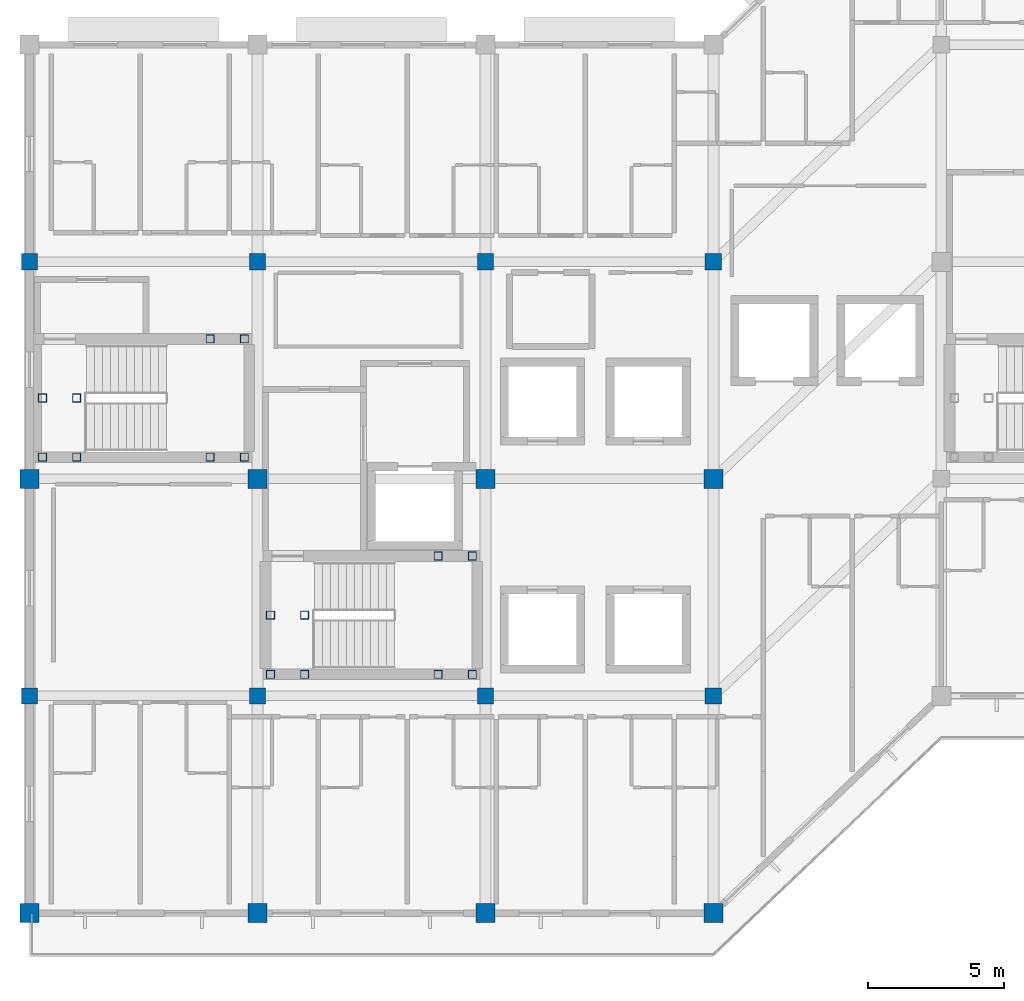
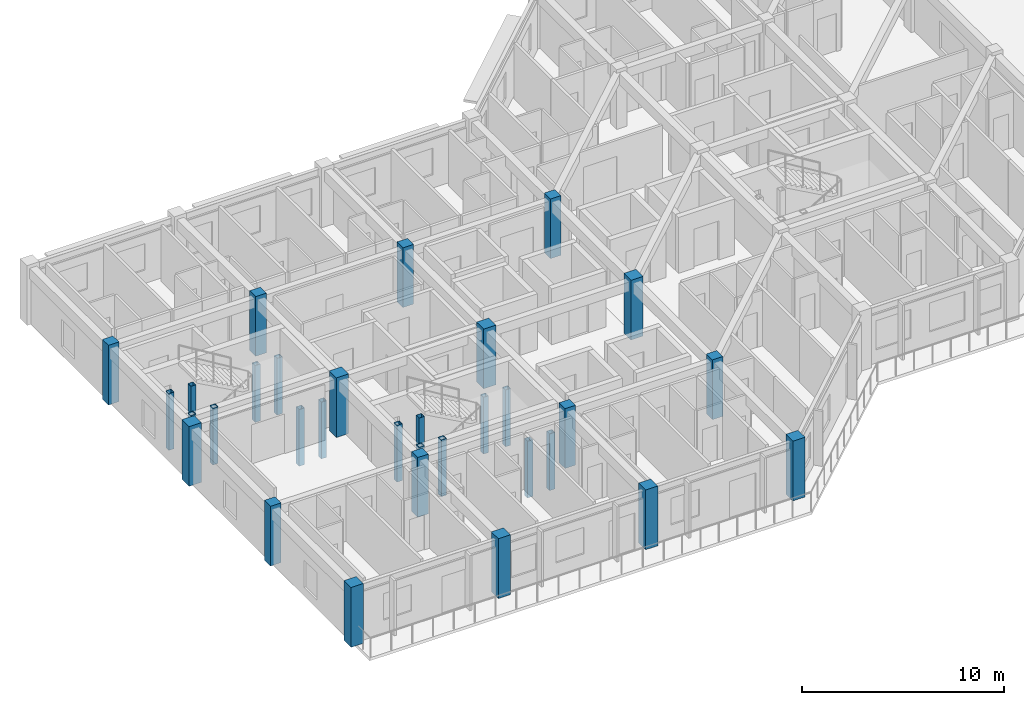
# One storey, part 1 of 15: 32 columns.
"""IFC4 building model written with IfcOpenShell, lengths in metres."""

from ifc_helpers import new_model, si_unit, direction, frame, origin, origin_2d, place, context, subcontext, project, spatial, rectangle, hollow_rectangle, extrude, material, material_profile, profile_set, type_object, element, save


model = new_model("IFC4")

# Units and contexts
model_context = context("Model", 3, precision=1e-05, world=origin(), true_north=direction((0.0, 1.0)))
body_context = subcontext(model_context, "Body", "Model", "MODEL_VIEW")
ifc_project = project(units=[si_unit("LENGTHUNIT", "METRE"), si_unit("AREAUNIT", "SQUARE_METRE"), si_unit("VOLUMEUNIT", "CUBIC_METRE"), si_unit("PLANEANGLEUNIT", "RADIAN"), si_unit("MASSUNIT", "GRAM", prefix="KILO")], contexts=[model_context])

# Site, building, storey
site_placement = place(None, origin())
site = spatial("IfcSite", under=ifc_project, at=site_placement, CompositionType="ELEMENT")
building_placement = place(site_placement, origin())
building = spatial("IfcBuilding", under=site, at=building_placement, Name="Naruveol Harbour Congress Hotel", CompositionType="ELEMENT")
storey_placement = place(building_placement, frame((0.0, 0.0, 36.0)))
storey = spatial("IfcBuildingStorey", under=building, at=storey_placement, Name="L08", CompositionType="ELEMENT", Elevation=36.0)

# Columns
ifc_material_1 = material(Name="Concrete C40/50", Category="concrete")
ifc_material_profile_1 = material_profile(ifc_material_1, rectangle(XDim=0.699951171875, YDim=0.699951171875, at=origin_2d()), Name="RC-700x700")
ifc_profile_set_1 = profile_set([ifc_material_profile_1], Name="Concrete C40/50")
column_type_1 = type_object("IfcColumnType", Name="RC HOTEL COLUMN 700X700", PredefinedType="COLUMN", material=ifc_profile_set_1)
for number, where, z_axis, x_axis, name in (
    (1, (117.60009765625, 0.0, 0.0), (0.0, 0.0, 1.0), (1.0, 0.0, 0.0), "Column C-700 L08 (117.6,0.0)"),
    (2, (117.60009765625, 16.0, 0.0), (0.0, 0.0, 1.0), (1.0, 0.0, 0.0), "Column C-700 L08 (117.6,16.0)"),
    (3, (126.0, 0.0, 0.0), (0.0, 0.0, 1.0), (1.0, 0.0, 0.0), "Column C-700 L08 (126.0,0.0)"),
    (4, (126.0, 16.0, 0.0), (0.0, 0.0, 1.0), (1.0, 0.0, 0.0), "Column C-700 L08 (126.0,16.0)"),
    (5, (134.39990234375, 0.0, 0.0), (0.0, 0.0, 1.0), (1.0, 0.0, 0.0), "Column C-700 L08 (134.4,0.0)"),
    (6, (134.39990234375, 16.0, 0.0), (0.0, 0.0, 1.0), (1.0, 0.0, 0.0), "Column C-700 L08 (134.4,16.0)"),
    (7, (142.800048828125, 0.0, 0.0), (0.0, 0.0, 1.0), (1.0, 0.0, 0.0), "Column C-700 L08 (142.8,0.0)"),
    (8, (142.800048828125, 16.0, 0.0), (0.0, 0.0, 1.0), (1.0, 0.0, 0.0), "Column C-700 L08 (142.8,16.0)"),
):
    element("IfcColumn", number, at=place(storey_placement, frame(where, z_axis=z_axis, x_axis=x_axis)), inside=storey, type_object=column_type_1, Name=name, PredefinedType="COLUMN", context=body_context, shape_type="SweptSolid", body=[
        extrude(rectangle(XDim=0.699951171875, YDim=0.699951171875, at=origin_2d()), origin(), (0.0, 0.0, 1.0), 3.60009765625),
    ])
ifc_material_2 = material(Name="Concrete C40/50", Category="concrete")
ifc_material_profile_2 = material_profile(ifc_material_2, rectangle(XDim=0.60009765625, YDim=0.60009765625, at=origin_2d()), Name="RC-600x600")
ifc_profile_set_2 = profile_set([ifc_material_profile_2], Name="Concrete C40/50")
column_type_2 = type_object("IfcColumnType", Name="RC UPPER COLUMN 600X600", PredefinedType="COLUMN", material=ifc_profile_set_2)
for number, where, z_axis, x_axis, name in (
    (9, (117.60009765625, 8.0, 0.0), (0.0, 0.0, 1.0), (1.0, 0.0, 0.0), "Planted hotel column C-600 L08 S0/J1"),
    (10, (117.60009765625, 24.0, 0.0), (0.0, 0.0, 1.0), (1.0, 0.0, 0.0), "Planted hotel column C-600 L08 S0/J3"),
    (11, (126.0, 8.0, 0.0), (0.0, 0.0, 1.0), (1.0, 0.0, 0.0), "Planted hotel column C-600 L08 S1/J1"),
    (12, (126.0, 24.0, 0.0), (0.0, 0.0, 1.0), (1.0, 0.0, 0.0), "Planted hotel column C-600 L08 S1/J3"),
    (13, (134.39990234375, 8.0, 0.0), (0.0, 0.0, 1.0), (1.0, 0.0, 0.0), "Planted hotel column C-600 L08 S2/J1"),
    (14, (134.39990234375, 24.0, 0.0), (0.0, 0.0, 1.0), (1.0, 0.0, 0.0), "Planted hotel column C-600 L08 S2/J3"),
    (15, (142.800048828125, 8.0, 0.0), (0.0, 0.0, 1.0), (1.0, 0.0, 0.0), "Planted hotel column C-600 L08 S3/J1"),
    (16, (142.800048828125, 24.0, 0.0), (0.0, 0.0, 1.0), (1.0, 0.0, 0.0), "Planted hotel column C-600 L08 S3/J3"),
):
    element("IfcColumn", number, at=place(storey_placement, frame(where, z_axis=z_axis, x_axis=x_axis)), inside=storey, type_object=column_type_2, Name=name, PredefinedType="COLUMN", context=body_context, shape_type="SweptSolid", body=[
        extrude(rectangle(XDim=0.60009765625, YDim=0.60009765625, at=origin_2d()), origin(), (0.0, 0.0, 1.0), 3.60009765625),
    ])
ifc_material_3 = material(Name="Steel SN490", Category="steel")
ifc_material_profile_3 = material_profile(ifc_material_3, hollow_rectangle(XDim=0.300048828125, YDim=0.300048828125, WallThickness=0.011962890625, at=origin_2d()), Name="SHS-300x300x12")
ifc_profile_set_3 = profile_set([ifc_material_profile_3], Name="Steel SN490")
column_type_3 = type_object("IfcColumnType", Name="STEEL COLONNADE POST SHS300", PredefinedType="COLUMN", material=ifc_profile_set_3)
for number, where, z_axis, x_axis, name in (
    (17, (126.47998046875, 8.800048828125, 0.0), (0.0, 0.0, 1.0), (1.0, 0.0, 0.0), "Stair landing support post ST1W #10"),
    (18, (126.47998046875, 10.97998046875, 0.0), (0.0, 0.0, 1.0), (1.0, 0.0, 0.0), "Stair landing support post ST1W #22"),
    (19, (127.739990234375, 8.800048828125, 0.0), (0.0, 0.0, 1.0), (1.0, 0.0, 0.0), "Stair landing support post ST1W #34"),
    (20, (127.739990234375, 10.97998046875, 0.0), (0.0, 0.0, 1.0), (1.0, 0.0, 0.0), "Stair landing support post ST1W #46"),
):
    element("IfcColumn", number, at=place(storey_placement, frame(where, z_axis=z_axis, x_axis=x_axis)), inside=storey, type_object=column_type_3, Name=name, PredefinedType="COLUMN", context=body_context, shape_type="SweptSolid", body=[
        extrude(hollow_rectangle(XDim=0.300048828125, YDim=0.300048828125, WallThickness=0.011962890625, at=origin_2d()), origin(), (0.0, 0.0, 1.0), 3.419921875),
    ])
for number, where, z_axis, x_axis, name in (
    (21, (132.659912109375, 8.800048828125, -1.800048828125), (0.0, 0.0, 1.0), (1.0, 0.0, 0.0), "Stair landing support post ST1E #58"),
    (22, (132.659912109375, 13.159912109375, -1.800048828125), (0.0, 0.0, 1.0), (1.0, 0.0, 0.0), "Stair landing support post ST1E #70"),
    (23, (133.919921875, 8.800048828125, -1.800048828125), (0.0, 0.0, 1.0), (1.0, 0.0, 0.0), "Stair landing support post ST1E #82"),
    (24, (133.919921875, 13.159912109375, -1.800048828125), (0.0, 0.0, 1.0), (1.0, 0.0, 0.0), "Stair landing support post ST1E #94"),
):
    element("IfcColumn", number, at=place(storey_placement, frame(where, z_axis=z_axis, x_axis=x_axis)), inside=storey, type_object=column_type_3, Name=name, PredefinedType="COLUMN", context=body_context, shape_type="SweptSolid", body=[
        extrude(hollow_rectangle(XDim=0.300048828125, YDim=0.300048828125, WallThickness=0.011962890625, at=origin_2d()), origin(), (0.0, 0.0, 1.0), 3.420166015625),
    ])
for number, where, z_axis, x_axis, name in (
    (25, (118.080078125, 16.800048828125, 0.0), (0.0, 0.0, 1.0), (1.0, 0.0, 0.0), "Stair landing support post ST3W #202"),
    (26, (118.080078125, 18.97998046875, 0.0), (0.0, 0.0, 1.0), (1.0, 0.0, 0.0), "Stair landing support post ST3W #212"),
    (27, (119.340087890625, 16.800048828125, 0.0), (0.0, 0.0, 1.0), (1.0, 0.0, 0.0), "Stair landing support post ST3W #222"),
    (28, (119.340087890625, 18.97998046875, 0.0), (0.0, 0.0, 1.0), (1.0, 0.0, 0.0), "Stair landing support post ST3W #232"),
):
    element("IfcColumn", number, at=place(storey_placement, frame(where, z_axis=z_axis, x_axis=x_axis)), inside=storey, type_object=column_type_3, Name=name, PredefinedType="COLUMN", context=body_context, shape_type="SweptSolid", body=[
        extrude(hollow_rectangle(XDim=0.300048828125, YDim=0.300048828125, WallThickness=0.011962890625, at=origin_2d()), origin(), (0.0, 0.0, 1.0), 3.419921875),
    ])
for number, where, z_axis, x_axis, name in (
    (29, (124.260009765625, 16.800048828125, -1.800048828125), (0.0, 0.0, 1.0), (1.0, 0.0, 0.0), "Stair landing support post ST3E #242"),
    (30, (124.260009765625, 21.159912109375, -1.800048828125), (0.0, 0.0, 1.0), (1.0, 0.0, 0.0), "Stair landing support post ST3E #252"),
    (31, (125.52001953125, 16.800048828125, -1.800048828125), (0.0, 0.0, 1.0), (1.0, 0.0, 0.0), "Stair landing support post ST3E #262"),
    (32, (125.52001953125, 21.159912109375, -1.800048828125), (0.0, 0.0, 1.0), (1.0, 0.0, 0.0), "Stair landing support post ST3E #272"),
):
    element("IfcColumn", number, at=place(storey_placement, frame(where, z_axis=z_axis, x_axis=x_axis)), inside=storey, type_object=column_type_3, Name=name, PredefinedType="COLUMN", context=body_context, shape_type="SweptSolid", body=[
        extrude(hollow_rectangle(XDim=0.300048828125, YDim=0.300048828125, WallThickness=0.011962890625, at=origin_2d()), origin(), (0.0, 0.0, 1.0), 3.420166015625),
    ])

save(model, "model.ifc")
